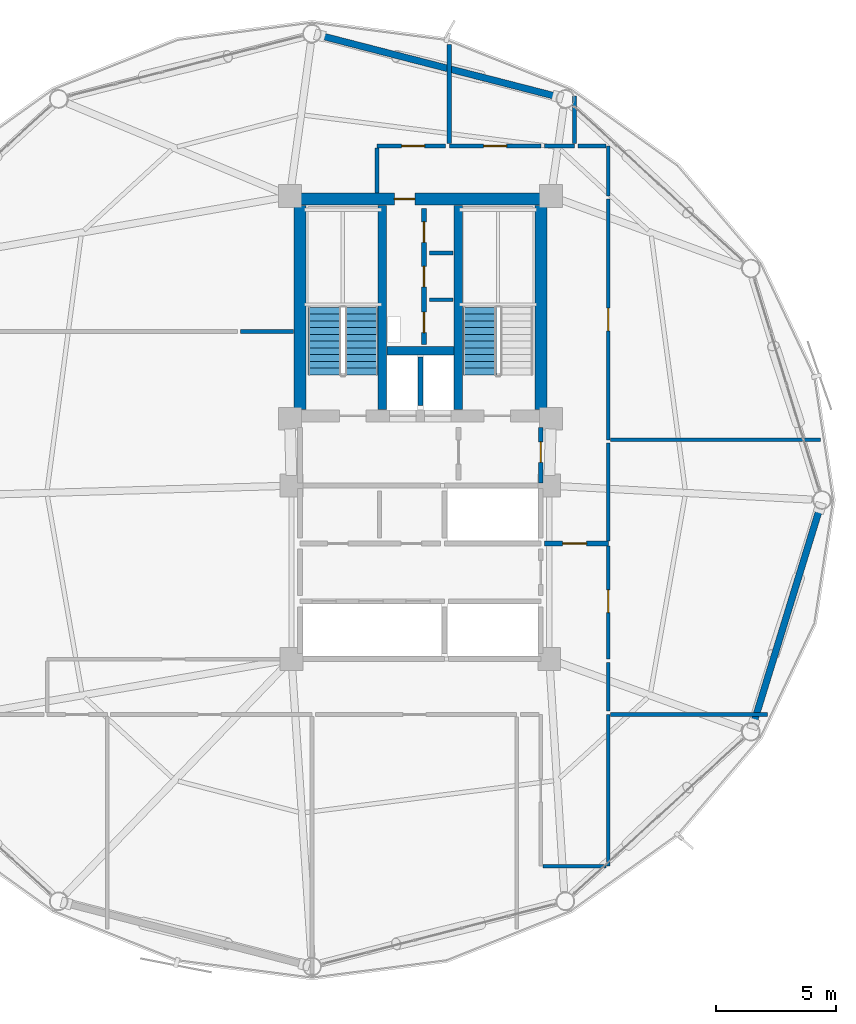
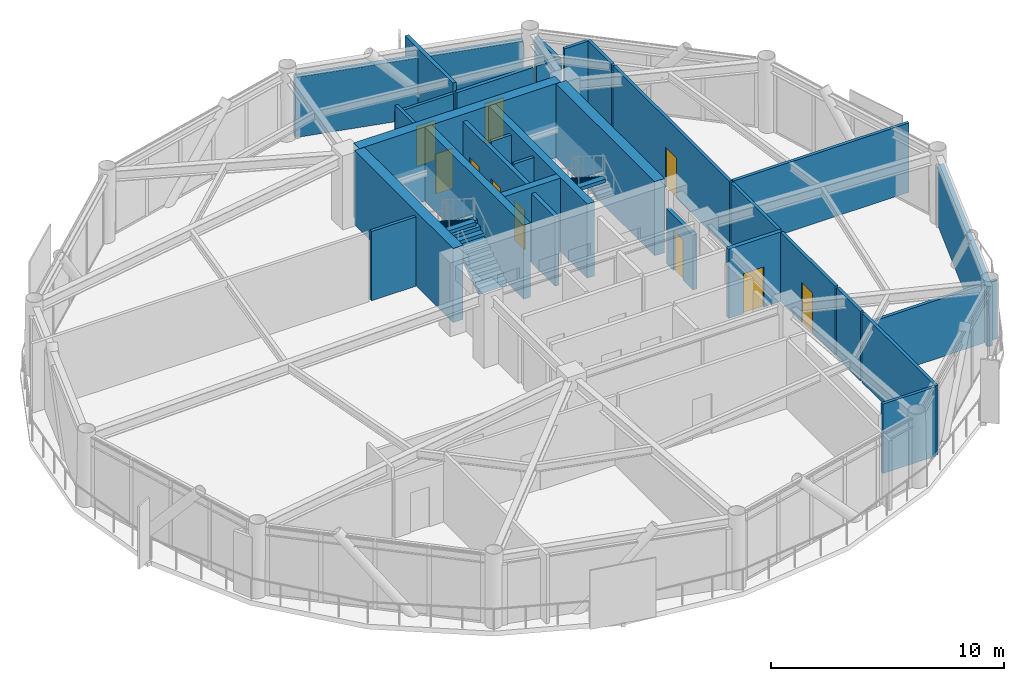
# One storey, part 21 of 25: 31 walls, 10 doors, 3 stair flights, 10 openings, 2 elements without a shape of their own.
"""IFC4 building model written with IfcOpenShell, lengths in metres."""

from ifc_helpers import new_model, si_unit, direction, frame, frame_2d, origin, place, context, subcontext, project, spatial, polyline, rectangle, outline, extrude, material, layer, layer_set, type_object, element, fill, aggregate, save


model = new_model("IFC4")

# Units and contexts
model_context = context("Model", 3, precision=1e-05, world=origin(), true_north=direction((0.0, 1.0)))
body_context = subcontext(model_context, "Body", "Model", "MODEL_VIEW")
ifc_project = project(units=[si_unit("LENGTHUNIT", "METRE"), si_unit("AREAUNIT", "SQUARE_METRE"), si_unit("VOLUMEUNIT", "CUBIC_METRE"), si_unit("PLANEANGLEUNIT", "RADIAN"), si_unit("MASSUNIT", "GRAM", prefix="KILO")], contexts=[model_context])

# Site, building, storey
site_placement = place(None, origin())
site = spatial("IfcSite", under=ifc_project, at=site_placement, CompositionType="ELEMENT")
building_placement = place(site_placement, origin())
building = spatial("IfcBuilding", under=site, at=building_placement, Name="Varnakorn Sky Granary", CompositionType="ELEMENT")
storey_placement = place(building_placement, frame((0.0, 0.0, 126.60009765625)))
storey = spatial("IfcBuildingStorey", under=building, at=storey_placement, Name="L31", CompositionType="ELEMENT", Elevation=126.60009765625)

# Walls
ifc_material_1 = material(Name="Concrete C50/60", Category="concrete")
ifc_layer_1 = layer(ifc_material_1, 0.35009765625, Name="Concrete C50/60")
ifc_layer_set_1 = layer_set([ifc_layer_1], Name="Concrete C50/60")
wall_type_1 = type_object("IfcWallType", Name="WT-CW-INT-350", PredefinedType="SHEAR", material=ifc_layer_set_1)
for number, where, z_axis, x_axis, name in (
    (1, (1.419921875, 3.760009765625, 0.0), (0.0, 0.0, 1.0), (0.0, 1.0, 0.0), "Stair ST-1 Core Wall L31"),
    (2, (4.580078125, 3.760009765625, 0.0), (0.0, 0.0, 1.0), (0.0, 1.0, 0.0), "Stair ST-2 Core Wall L31"),
):
    element("IfcWall", number, at=place(storey_placement, frame(where, z_axis=z_axis, x_axis=x_axis)), inside=storey, type_object=wall_type_1, Name=name, PredefinedType="SHEAR", context=body_context, shape_type="SweptSolid", body=[
        extrude(rectangle(XDim=8.47998046875, YDim=0.35009765625, at=frame_2d((4.239990234375, 0.0))), origin(), (0.0, 0.0, 1.0), 3.891845703125),
    ])
wall_1_placement = place(storey_placement, frame((1.610107421875, 6.199951171875, 0.0), z_axis=(0.0, 0.0, 1.0), x_axis=(1.0, 0.0, 0.0)))
element("IfcWall", 3, at=wall_1_placement, inside=storey, type_object=wall_type_1, Name="Core Lift Shaft Cross Wall L31", PredefinedType="SHEAR", context=body_context, shape_type="SweptSolid", body=[
    extrude(rectangle(XDim=2.77978515625, YDim=0.35009765625, at=frame_2d((1.389892578125, 0.0))), origin(), (0.0, 0.0, 1.0), 3.891845703125),
])

# Wall, opening, door
ifc_material_2 = material(Name="Concrete C60/75", Category="concrete")
ifc_layer_2 = layer(ifc_material_2, 0.5, Name="Concrete C60/75")
ifc_layer_set_2 = layer_set([ifc_layer_2], Name="Concrete C60/75")
wall_type_2 = type_object("IfcWallType", Name="WT-CW-SHEAR-500", PredefinedType="SHEAR", material=ifc_layer_set_2)
wall_2_placement = place(storey_placement, frame((-2.0, 12.5, 0.0), z_axis=(0.0, 0.0, 1.0), x_axis=(1.0, 0.0, 0.0)))
wall_2 = element("IfcWall", 4, at=wall_2_placement, inside=storey, type_object=wall_type_2, Name="Core North Shear Wall L31", PredefinedType="SHEAR", context=body_context, shape_type="SweptSolid", body=[
    extrude(rectangle(XDim=10.0, YDim=0.5, at=frame_2d((5.0, 0.0))), origin(), (0.0, 0.0, 1.0), 3.891845703125),
])
opening_1_placement = place(wall_2_placement, frame((3.919921875, 0.0, 0.0)))
opening_1 = element("IfcOpeningElement", 5, at=opening_1_placement, cuts=wall_2, Name="Opening FD-60N", PredefinedType="OPENING", context=body_context, shape_type="SweptSolid", body=[
    extrude(rectangle(XDim=0.85009765625, YDim=2.10009765625, at=frame_2d((0.425048828125, 1.050048828125))), frame((0.0, 0.260009765625, 0.0), z_axis=(0.0, -1.0, 0.0), x_axis=(1.0, 0.0, 0.0)), (0.0, 0.0, 1.0), 0.52001953125),
])
ifc_material_3 = material(Name="Acoustic Timber Fire Leaf", Category="wood")
door_type_1 = type_object("IfcDoorType", Name="DR-FD60-850", OperationType="NOTDEFINED", PredefinedType="DOOR", material=ifc_material_3)
door_1_placement = place(opening_1_placement, origin())
door_1 = element("IfcDoor", 6, at=door_1_placement, inside=storey, type_object=door_type_1, Name="Core North Service Door L31", OperationType="SINGLE_SWING_LEFT", OverallHeight=2.10009765625, OverallWidth=0.85009765625, PredefinedType="DOOR", context=body_context, shape_type="SweptSolid", body=[
    extrude(rectangle(XDim=0.85009765625, YDim=2.10009765625, at=frame_2d((0.425048828125, 1.050048828125))), frame((0.0, 0.02490234375, 0.0), z_axis=(0.0, -1.0, 0.0), x_axis=(1.0, 0.0, 0.0)), (0.0, 0.0, 1.0), 0.050048828125),
])
fill(opening_1, door_1)

# Walls
for number, where, z_axis, x_axis, name in (
    (7, (-2.0, 3.760009765625, 0.0), (0.0, 0.0, 1.0), (0.0, 1.0, 0.0), "Core West Shear Wall L31"),
    (8, (8.0, 3.760009765625, 0.0), (0.0, 0.0, 1.0), (0.0, 1.0, 0.0), "Core East Shear Wall L31"),
):
    element("IfcWall", number, at=place(storey_placement, frame(where, z_axis=z_axis, x_axis=x_axis)), inside=storey, type_object=wall_type_2, Name=name, PredefinedType="SHEAR", context=body_context, shape_type="SweptSolid", body=[
        extrude(rectangle(XDim=8.47998046875, YDim=0.5, at=frame_2d((4.239990234375, 0.0))), origin(), (0.0, 0.0, 1.0), 3.891845703125),
    ])
ifc_material_4 = material(Name="Precast concrete C40/50", Category="concrete")
ifc_layer_3 = layer(ifc_material_4, 0.280029296875, Name="Precast concrete C40/50")
ifc_layer_set_3 = layer_set([ifc_layer_3], Name="Precast concrete C40/50")
wall_type_3 = type_object("IfcWallType", Name="WT-EW-CRN-280", PredefinedType="SOLIDWALL", material=ifc_layer_set_3)
wall_3_placement = place(storey_placement, frame((-1.174560546875, 19.2900390625, 0.0), z_axis=(0.0, 0.0, 1.0), x_axis=(0.968353343562, -0.249583256675, 0.0)))
element("IfcWall", 9, at=wall_3_placement, inside=storey, type_object=wall_type_3, Name="Agritech Insulated Precast Facade Wall L31-P03", PredefinedType="SOLIDWALL", context=body_context, shape_type="SweptSolid", body=[
    extrude(rectangle(XDim=10.19580078125, YDim=0.280029296875, at=frame_2d((5.097900390625, 0.0))), origin(), (0.0, 0.0, 1.0), 3.159912109375),
])
wall_4_placement = place(storey_placement, frame((19.584228515625, -0.3212890625, 0.0), z_axis=(0.0, 0.0, 1.0), x_axis=(-0.293614487482, -0.95592391577, 0.0)))
element("IfcWall", 10, at=wall_4_placement, inside=storey, type_object=wall_type_3, Name="Agritech Insulated Precast Facade Wall L31-P12", PredefinedType="SOLIDWALL", context=body_context, shape_type="SweptSolid", body=[
    extrude(rectangle(XDim=9.390869140625, YDim=0.280029296875, at=frame_2d((4.6953125, 0.0))), origin(), (0.0, 0.0, 1.0), 3.159912109375),
])

# Wall, openings, doors
ifc_material_5 = material(Name="Autoclaved Aerated Concrete Blockwork", Category="masonry")
ifc_layer_4 = layer(ifc_material_5, 0.199951171875, Name="Autoclaved Aerated Concrete Blockwork")
ifc_layer_set_4 = layer_set([ifc_layer_4], Name="Autoclaved Aerated Concrete Blockwork")
wall_type_4 = type_object("IfcWallType", Name="WT-FIRE-200", PredefinedType="MOVABLE", material=ifc_layer_set_4)
wall_5_placement = place(storey_placement, frame((3.14990234375, 6.449951171875, 0.0), z_axis=(0.0, 0.0, 1.0), x_axis=(0.0, 1.0, 0.0)))
wall_5 = element("IfcWall", 11, at=wall_5_placement, inside=storey, type_object=wall_type_4, Name="Interior Partition Wall L31-013", PredefinedType="MOVABLE", context=body_context, shape_type="SweptSolid", body=[
    extrude(rectangle(XDim=5.650146484375, YDim=0.199951171875, at=frame_2d((2.8251953125, 0.0))), origin(), (0.0, 0.0, 1.0), 3.639892578125),
])
opening_2_placement = place(wall_5_placement, frame((0.5, 0.0, 0.0)))
opening_2 = element("IfcOpeningElement", 12, at=opening_2_placement, cuts=wall_5, Name="Opening FD-60N", PredefinedType="OPENING", context=body_context, shape_type="SweptSolid", body=[
    extrude(rectangle(XDim=0.85009765625, YDim=2.10009765625, at=frame_2d((0.425048828125, 1.050048828125))), frame((0.0, 0.10986328125, 0.0), z_axis=(0.0, -1.0, 0.0), x_axis=(1.0, 0.0, 0.0)), (0.0, 0.0, 1.0), 0.219970703125),
])
opening_3_placement = place(wall_5_placement, frame((2.39990234375, 0.0, 0.0)))
opening_3 = element("IfcOpeningElement", 13, at=opening_3_placement, cuts=wall_5, Name="Opening FD-60N", PredefinedType="OPENING", context=body_context, shape_type="SweptSolid", body=[
    extrude(rectangle(XDim=0.85009765625, YDim=2.10009765625, at=frame_2d((0.425048828125, 1.050048828125))), frame((0.0, 0.10986328125, 0.0), z_axis=(0.0, -1.0, 0.0), x_axis=(1.0, 0.0, 0.0)), (0.0, 0.0, 1.0), 0.219970703125),
])
opening_4_placement = place(wall_5_placement, frame((4.25, 0.0, 0.0)))
opening_4 = element("IfcOpeningElement", 14, at=opening_4_placement, cuts=wall_5, Name="Opening FD-60N", PredefinedType="OPENING", context=body_context, shape_type="SweptSolid", body=[
    extrude(rectangle(XDim=0.85009765625, YDim=2.10009765625, at=frame_2d((0.425048828125, 1.050048828125))), frame((0.0, 0.10986328125, 0.0), z_axis=(0.0, -1.0, 0.0), x_axis=(1.0, 0.0, 0.0)), (0.0, 0.0, 1.0), 0.219970703125),
])
door_2_placement = place(opening_2_placement, origin())
door_2 = element("IfcDoor", 15, at=door_2_placement, inside=storey, type_object=door_type_1, Name="Interior Door L31-013-1", OperationType="SINGLE_SWING_LEFT", OverallHeight=2.10009765625, OverallWidth=0.85009765625, PredefinedType="DOOR", context=body_context, shape_type="SweptSolid", body=[
    extrude(rectangle(XDim=0.85009765625, YDim=2.10009765625, at=frame_2d((0.425048828125, 1.050048828125))), frame((0.0, 0.02490234375, 0.0), z_axis=(0.0, -1.0, 0.0), x_axis=(1.0, 0.0, 0.0)), (0.0, 0.0, 1.0), 0.050048828125),
])
fill(opening_2, door_2)
door_3_placement = place(opening_3_placement, origin())
door_3 = element("IfcDoor", 16, at=door_3_placement, inside=storey, type_object=door_type_1, Name="Interior Door L31-013-2", OperationType="SINGLE_SWING_RIGHT", OverallHeight=2.10009765625, OverallWidth=0.85009765625, PredefinedType="DOOR", context=body_context, shape_type="SweptSolid", body=[
    extrude(rectangle(XDim=0.85009765625, YDim=2.10009765625, at=frame_2d((0.425048828125, 1.050048828125))), frame((0.0, 0.02490234375, 0.0), z_axis=(0.0, -1.0, 0.0), x_axis=(1.0, 0.0, 0.0)), (0.0, 0.0, 1.0), 0.050048828125),
])
fill(opening_3, door_3)
door_4_placement = place(opening_4_placement, origin())
door_4 = element("IfcDoor", 17, at=door_4_placement, inside=storey, type_object=door_type_1, Name="Interior Door L31-013-3", OperationType="SINGLE_SWING_LEFT", OverallHeight=2.10009765625, OverallWidth=0.85009765625, PredefinedType="DOOR", context=body_context, shape_type="SweptSolid", body=[
    extrude(rectangle(XDim=0.85009765625, YDim=2.10009765625, at=frame_2d((0.425048828125, 1.050048828125))), frame((0.0, 0.02490234375, 0.0), z_axis=(0.0, -1.0, 0.0), x_axis=(1.0, 0.0, 0.0)), (0.0, 0.0, 1.0), 0.050048828125),
])
fill(opening_4, door_4)

# Wall, opening, door
wall_6_placement = place(storey_placement, frame((8.0, 0.719970703125, 0.0), z_axis=(0.0, 0.0, 1.0), x_axis=(0.0, 1.0, 0.0)))
wall_6 = element("IfcWall", 18, at=wall_6_placement, inside=storey, type_object=wall_type_4, Name="Interior Partition Wall L31-015", PredefinedType="MOVABLE", context=body_context, shape_type="SweptSolid", body=[
    extrude(rectangle(XDim=2.300048828125, YDim=0.199951171875, at=frame_2d((1.14990234375, 0.0))), origin(), (0.0, 0.0, 1.0), 2.871826171875),
])
opening_5_placement = place(wall_6_placement, frame((0.844970703125, 0.0, 0.0)))
opening_5 = element("IfcOpeningElement", 19, at=opening_5_placement, cuts=wall_6, Name="Opening FD-60N", PredefinedType="OPENING", context=body_context, shape_type="SweptSolid", body=[
    extrude(rectangle(XDim=0.85009765625, YDim=2.10009765625, at=frame_2d((0.425048828125, 1.050048828125))), frame((0.0, 0.10986328125, 0.0), z_axis=(0.0, -1.0, 0.0), x_axis=(1.0, 0.0, 0.0)), (0.0, 0.0, 1.0), 0.219970703125),
])
door_5_placement = place(opening_5_placement, origin())
door_5 = element("IfcDoor", 20, at=door_5_placement, inside=storey, type_object=door_type_1, Name="Interior Door L31-015-1", OperationType="SINGLE_SWING_LEFT", OverallHeight=2.10009765625, OverallWidth=0.85009765625, PredefinedType="DOOR", context=body_context, shape_type="SweptSolid", body=[
    extrude(rectangle(XDim=0.85009765625, YDim=2.10009765625, at=frame_2d((0.425048828125, 1.050048828125))), frame((0.0, 0.02490234375, 0.0), z_axis=(0.0, -1.0, 0.0), x_axis=(1.0, 0.0, 0.0)), (0.0, 0.0, 1.0), 0.050048828125),
])
fill(opening_5, door_5)

wall_7_placement = place(storey_placement, frame((8.159912109375, -1.800048828125, 0.0), z_axis=(0.0, 0.0, 1.0), x_axis=(1.0, 0.0, 0.0)))
wall_7 = element("IfcWall", 21, at=wall_7_placement, inside=storey, type_object=wall_type_4, Name="Interior Partition Wall L31-018", PredefinedType="MOVABLE", context=body_context, shape_type="SweptSolid", body=[
    extrude(rectangle(XDim=2.64013671875, YDim=0.199951171875, at=frame_2d((1.320068359375, 0.0))), origin(), (0.0, 0.0, 1.0), 3.639892578125),
])
opening_6_placement = place(wall_7_placement, frame((0.739990234375, 0.0, 0.0)))
opening_6 = element("IfcOpeningElement", 22, at=opening_6_placement, cuts=wall_7, Name="Opening FD-60", PredefinedType="OPENING", context=body_context, shape_type="SweptSolid", body=[
    extrude(rectangle(XDim=1.0, YDim=2.10009765625, at=frame_2d((0.5, 1.050048828125))), frame((0.0, 0.10986328125, 0.0), z_axis=(0.0, -1.0, 0.0), x_axis=(1.0, 0.0, 0.0)), (0.0, 0.0, 1.0), 0.219970703125),
])
door_type_2 = type_object("IfcDoorType", Name="DR-FD60-1000", OperationType="NOTDEFINED", PredefinedType="DOOR", material=ifc_material_3)
door_6_placement = place(opening_6_placement, origin())
door_6 = element("IfcDoor", 23, at=door_6_placement, inside=storey, type_object=door_type_2, Name="Interior Door L31-018-1", OperationType="SINGLE_SWING_LEFT", OverallHeight=2.10009765625, OverallWidth=1.0, PredefinedType="DOOR", context=body_context, shape_type="SweptSolid", body=[
    extrude(rectangle(XDim=1.0, YDim=2.10009765625, at=frame_2d((0.5, 1.050048828125))), frame((0.0, 0.02490234375, 0.0), z_axis=(0.0, -1.0, 0.0), x_axis=(1.0, 0.0, 0.0)), (0.0, 0.0, 1.0), 0.050048828125),
])
fill(opening_6, door_6)

ifc_material_6 = material(Name="Gypsum Plasterboard on Steel Stud", Category="steel")
ifc_layer_5 = layer(ifc_material_6, 0.14990234375, Name="Gypsum Plasterboard on Steel Stud")
ifc_layer_set_5 = layer_set([ifc_layer_5], Name="Gypsum Plasterboard on Steel Stud")
wall_type_5 = type_object("IfcWallType", Name="WT-PART-150", PredefinedType="PARTITIONING", material=ifc_layer_set_5)
wall_8_placement = place(storey_placement, frame((4.050048828125, 14.699951171875, 0.0), z_axis=(0.0, 0.0, 1.0), x_axis=(-1.0, 0.0, 0.0)))
wall_8 = element("IfcWall", 24, at=wall_8_placement, inside=storey, type_object=wall_type_5, Name="Interior Partition Wall L31-025", PredefinedType="PARTITIONING", context=body_context, shape_type="SweptSolid", body=[
    extrude(rectangle(XDim=2.85009765625, YDim=0.14990234375, at=frame_2d((1.425048828125, 0.0))), origin(), (0.0, 0.0, 1.0), 3.221923828125),
])
opening_7_placement = place(wall_8_placement, frame((0.875, 0.0, 0.0)))
opening_7 = element("IfcOpeningElement", 25, at=opening_7_placement, cuts=wall_8, Name="Opening ID-95", PredefinedType="OPENING", context=body_context, shape_type="SweptSolid", body=[
    extrude(rectangle(XDim=0.949951171875, YDim=2.10009765625, at=frame_2d((0.47509765625, 1.050048828125))), frame((0.0, 0.0849609375, 0.0), z_axis=(0.0, -1.0, 0.0), x_axis=(1.0, 0.0, 0.0)), (0.0, 0.0, 1.0), 0.169921875),
])
ifc_material_7 = material(Name="Solid-Core Teak Veneer Leaf", Category="timber")
door_type_3 = type_object("IfcDoorType", Name="DR-INT-950", OperationType="NOTDEFINED", PredefinedType="DOOR", material=ifc_material_7)
door_7_placement = place(opening_7_placement, origin())
door_7 = element("IfcDoor", 26, at=door_7_placement, inside=storey, type_object=door_type_3, Name="Interior Door L31-025-1", OperationType="SINGLE_SWING_RIGHT", OverallHeight=2.10009765625, OverallWidth=0.949951171875, PredefinedType="DOOR", context=body_context, shape_type="SweptSolid", body=[
    extrude(rectangle(XDim=0.949951171875, YDim=2.10009765625, at=frame_2d((0.47509765625, 1.050048828125))), frame((0.0, 0.02490234375, 0.0), z_axis=(0.0, -1.0, 0.0), x_axis=(1.0, 0.0, 0.0)), (0.0, 0.0, 1.0), 0.050048828125),
])
fill(opening_7, door_7)

wall_9_placement = place(storey_placement, frame((10.800048828125, -6.60009765625, 0.0), z_axis=(0.0, 0.0, 1.0), x_axis=(0.0, 1.0, 0.0)))
wall_9 = element("IfcWall", 27, at=wall_9_placement, inside=storey, type_object=wall_type_5, Name="Interior Partition Wall L31-026", PredefinedType="PARTITIONING", context=body_context, shape_type="SweptSolid", body=[
    extrude(rectangle(XDim=4.690185546875, YDim=0.14990234375, at=frame_2d((2.34521484375, 0.0))), origin(), (0.0, 0.0, 1.0), 3.639892578125),
])
opening_8_placement = place(wall_9_placement, frame((1.925048828125, 0.0, 0.0)))
opening_8 = element("IfcOpeningElement", 28, at=opening_8_placement, cuts=wall_9, Name="Opening ID-95", PredefinedType="OPENING", context=body_context, shape_type="SweptSolid", body=[
    extrude(rectangle(XDim=0.949951171875, YDim=2.10009765625, at=frame_2d((0.47509765625, 1.050048828125))), frame((0.0, 0.0849609375, 0.0), z_axis=(0.0, -1.0, 0.0), x_axis=(1.0, 0.0, 0.0)), (0.0, 0.0, 1.0), 0.169921875),
])
door_8_placement = place(opening_8_placement, origin())
door_8 = element("IfcDoor", 29, at=door_8_placement, inside=storey, type_object=door_type_3, Name="Interior Door L31-026-1", OperationType="SINGLE_SWING_LEFT", OverallHeight=2.10009765625, OverallWidth=0.949951171875, PredefinedType="DOOR", context=body_context, shape_type="SweptSolid", body=[
    extrude(rectangle(XDim=0.949951171875, YDim=2.10009765625, at=frame_2d((0.47509765625, 1.050048828125))), frame((0.0, 0.02490234375, 0.0), z_axis=(0.0, -1.0, 0.0), x_axis=(1.0, 0.0, 0.0)), (0.0, 0.0, 1.0), 0.050048828125),
])
fill(opening_8, door_8)

wall_10_placement = place(storey_placement, frame((10.800048828125, 2.5, 0.0), z_axis=(0.0, 0.0, 1.0), x_axis=(0.0, 1.0, 0.0)))
wall_10 = element("IfcWall", 30, at=wall_10_placement, inside=storey, type_object=wall_type_5, Name="Interior Partition Wall L31-027", PredefinedType="PARTITIONING", context=body_context, shape_type="SweptSolid", body=[
    extrude(rectangle(XDim=10.0, YDim=0.14990234375, at=frame_2d((5.0, 0.0))), origin(), (0.0, 0.0, 1.0), 3.639892578125),
])
opening_9_placement = place(wall_10_placement, frame((4.52490234375, 0.0, 0.0)))
opening_9 = element("IfcOpeningElement", 31, at=opening_9_placement, cuts=wall_10, Name="Opening ID-95", PredefinedType="OPENING", context=body_context, shape_type="SweptSolid", body=[
    extrude(rectangle(XDim=0.949951171875, YDim=2.10009765625, at=frame_2d((0.47509765625, 1.050048828125))), frame((0.0, 0.0849609375, 0.0), z_axis=(0.0, -1.0, 0.0), x_axis=(1.0, 0.0, 0.0)), (0.0, 0.0, 1.0), 0.169921875),
])
door_9_placement = place(opening_9_placement, origin())
door_9 = element("IfcDoor", 32, at=door_9_placement, inside=storey, type_object=door_type_3, Name="Interior Door L31-027-1", OperationType="SINGLE_SWING_RIGHT", OverallHeight=2.10009765625, OverallWidth=0.949951171875, PredefinedType="DOOR", context=body_context, shape_type="SweptSolid", body=[
    extrude(rectangle(XDim=0.949951171875, YDim=2.10009765625, at=frame_2d((0.47509765625, 1.050048828125))), frame((0.0, 0.02490234375, 0.0), z_axis=(0.0, -1.0, 0.0), x_axis=(1.0, 0.0, 0.0)), (0.0, 0.0, 1.0), 0.050048828125),
])
fill(opening_9, door_9)

# Walls
for number, where, z_axis, x_axis, name in (
    (33, (3.3701171875, 8.320068359375, 0.0), (0.0, 0.0, 1.0), (1.0, 0.0, 0.0), "Interior Partition Wall L31-028"),
    (34, (3.3701171875, 10.260009765625, 0.0), (0.0, 0.0, 1.0), (1.0, 0.0, 0.0), "Interior Partition Wall L31-029"),
):
    element("IfcWall", number, at=place(storey_placement, frame(where, z_axis=z_axis, x_axis=x_axis)), inside=storey, type_object=wall_type_5, Name=name, PredefinedType="PARTITIONING", context=body_context, shape_type="SweptSolid", body=[
        extrude(rectangle(XDim=0.97998046875, YDim=0.14990234375, at=frame_2d((0.489990234375, 0.0))), origin(), (0.0, 0.0, 1.0), 3.639892578125),
    ])
wall_11_placement = place(storey_placement, frame((10.800048828125, -15.199951171875, 0.0), z_axis=(0.0, 0.0, 1.0), x_axis=(0.0, 1.0, 0.0)))
element("IfcWall", 35, at=wall_11_placement, inside=storey, type_object=wall_type_5, Name="Interior Partition Wall L31-041", PredefinedType="PARTITIONING", context=body_context, shape_type="SweptSolid", body=[
    extrude(rectangle(XDim=6.300048828125, YDim=0.14990234375, at=frame_2d((3.14990234375, 0.0))), origin(), (0.0, 0.0, 1.0), 3.639892578125),
])
wall_12_placement = place(storey_placement, frame((8.0849609375, -15.199951171875, 0.0), z_axis=(0.0, 0.0, 1.0), x_axis=(1.0, 0.0, 0.0)))
element("IfcWall", 36, at=wall_12_placement, inside=storey, type_object=wall_type_5, Name="Interior Partition Wall L31-042", PredefinedType="PARTITIONING", context=body_context, shape_type="SweptSolid", body=[
    extrude(rectangle(XDim=2.630126953125, YDim=0.14990234375, at=frame_2d((1.31494140625, 0.0))), origin(), (0.0, 0.0, 1.0), 3.639892578125),
])
wall_13_placement = place(storey_placement, frame((10.885009765625, -8.89990234375, 0.0), z_axis=(0.0, 0.0, 1.0), x_axis=(1.0, 0.0, 0.0)))
element("IfcWall", 37, at=wall_13_placement, inside=storey, type_object=wall_type_5, Name="Interior Partition Wall L31-044", PredefinedType="PARTITIONING", context=body_context, shape_type="SweptSolid", body=[
    extrude(rectangle(XDim=6.52587890625, YDim=0.14990234375, at=frame_2d((3.262939453125, 0.0))), origin(), (0.0, 0.0, 1.0), 3.072021484375),
])
wall_14_placement = place(storey_placement, frame((-4.465087890625, 7.0, 0.0), z_axis=(0.0, 0.0, 1.0), x_axis=(1.0, 0.0, 0.0)))
element("IfcWall", 38, at=wall_14_placement, inside=storey, type_object=wall_type_5, Name="Interior Partition Wall L31-047", PredefinedType="PARTITIONING", context=body_context, shape_type="SweptSolid", body=[
    extrude(rectangle(XDim=2.205078125, YDim=0.14990234375, at=frame_2d((1.1025390625, 0.0))), origin(), (0.0, 0.0, 1.0), 3.639892578125),
])
wall_15_placement = place(storey_placement, frame((1.199951171875, 14.614990234375, 0.0), z_axis=(0.0, 0.0, 1.0), x_axis=(0.0, -1.0, 0.0)))
element("IfcWall", 39, at=wall_15_placement, inside=storey, type_object=wall_type_5, Name="Interior Partition Wall L31-048", PredefinedType="PARTITIONING", context=body_context, shape_type="SweptSolid", body=[
    extrude(rectangle(XDim=1.85498046875, YDim=0.14990234375, at=frame_2d((0.927490234375, 0.0))), origin(), (0.0, 0.0, 1.0), 3.639892578125),
])
wall_16_placement = place(storey_placement, frame((10.800048828125, -8.764892578125, 0.0), z_axis=(0.0, 0.0, 1.0), x_axis=(0.0, 1.0, 0.0)))
element("IfcWall", 40, at=wall_16_placement, inside=storey, type_object=wall_type_5, Name="Interior Partition Wall L31-050", PredefinedType="PARTITIONING", context=body_context, shape_type="SweptSolid", body=[
    extrude(rectangle(XDim=2.02978515625, YDim=0.14990234375, at=frame_2d((1.014892578125, 0.0))), origin(), (0.0, 0.0, 1.0), 3.639892578125),
])
wall_17_placement = place(storey_placement, frame((10.800048828125, -1.68994140625, 0.0), z_axis=(0.0, 0.0, 1.0), x_axis=(0.0, 1.0, 0.0)))
element("IfcWall", 41, at=wall_17_placement, inside=storey, type_object=wall_type_5, Name="Interior Partition Wall L31-051", PredefinedType="PARTITIONING", context=body_context, shape_type="SweptSolid", body=[
    extrude(rectangle(XDim=4.054931640625, YDim=0.14990234375, at=frame_2d((2.02734375, 0.0))), origin(), (0.0, 0.0, 1.0), 3.639892578125),
])
wall_18_placement = place(storey_placement, frame((10.885009765625, 2.5, 0.0), z_axis=(0.0, 0.0, 1.0), x_axis=(1.0, 0.0, 0.0)))
element("IfcWall", 42, at=wall_18_placement, inside=storey, type_object=wall_type_5, Name="Interior Partition Wall L31-052", PredefinedType="PARTITIONING", context=body_context, shape_type="SweptSolid", body=[
    extrude(rectangle(XDim=8.72607421875, YDim=0.14990234375, at=frame_2d((4.363037109375, 0.0))), origin(), (0.0, 0.0, 1.0), 3.639892578125),
])
wall_19_placement = place(storey_placement, frame((10.800048828125, 12.635009765625, 0.0), z_axis=(0.0, 0.0, 1.0), x_axis=(0.0, 1.0, 0.0)))
element("IfcWall", 43, at=wall_19_placement, inside=storey, type_object=wall_type_5, Name="Interior Partition Wall L31-053", PredefinedType="PARTITIONING", context=body_context, shape_type="SweptSolid", body=[
    extrude(rectangle(XDim=2.06494140625, YDim=0.14990234375, at=frame_2d((1.032470703125, 0.0))), origin(), (0.0, 0.0, 1.0), 3.639892578125),
])
wall_20_placement = place(storey_placement, frame((10.715087890625, 14.699951171875, 0.0), z_axis=(0.0, 0.0, 1.0), x_axis=(-1.0, 0.0, 0.0)))
element("IfcWall", 44, at=wall_20_placement, inside=storey, type_object=wall_type_5, Name="Interior Partition Wall L31-054", PredefinedType="PARTITIONING", context=body_context, shape_type="SweptSolid", body=[
    extrude(rectangle(XDim=1.1650390625, YDim=0.14990234375, at=frame_2d((0.58251953125, 0.0))), origin(), (0.0, 0.0, 1.0), 3.639892578125),
])

# Wall, opening, door
ifc_material_8 = material(Name="Moisture-Resistant Gypsum on Stud", Category="gypsum")
ifc_layer_6 = layer(ifc_material_8, 0.179931640625, Name="Moisture-Resistant Gypsum on Stud")
ifc_layer_set_6 = layer_set([ifc_layer_6], Name="Moisture-Resistant Gypsum on Stud")
wall_type_6 = type_object("IfcWallType", Name="WT-PLUMB-180", PredefinedType="PLUMBINGWALL", material=ifc_layer_set_6)
wall_21_placement = place(storey_placement, frame((8.0, 14.699951171875, 0.0), z_axis=(0.0, 0.0, 1.0), x_axis=(-1.0, 0.0, 0.0)))
wall_21 = element("IfcWall", 45, at=wall_21_placement, inside=storey, type_object=wall_type_6, Name="Interior Partition Wall L31-019", PredefinedType="PLUMBINGWALL", context=body_context, shape_type="SweptSolid", body=[
    extrude(rectangle(XDim=3.800048828125, YDim=0.179931640625, at=frame_2d((1.89990234375, 0.0))), origin(), (0.0, 0.0, 1.0), 3.221923828125),
])
opening_10_placement = place(wall_21_placement, frame((1.425048828125, 0.0, 0.0)))
opening_10 = element("IfcOpeningElement", 46, at=opening_10_placement, cuts=wall_21, Name="Opening ID-95", PredefinedType="OPENING", context=body_context, shape_type="SweptSolid", body=[
    extrude(rectangle(XDim=0.949951171875, YDim=2.10009765625, at=frame_2d((0.47509765625, 1.050048828125))), frame((0.0, 0.10009765625, 0.0), z_axis=(0.0, -1.0, 0.0), x_axis=(1.0, 0.0, 0.0)), (0.0, 0.0, 1.0), 0.199951171875),
])
door_10_placement = place(opening_10_placement, origin())
door_10 = element("IfcDoor", 47, at=door_10_placement, inside=storey, type_object=door_type_3, Name="Interior Door L31-019-1", OperationType="SINGLE_SWING_RIGHT", OverallHeight=2.10009765625, OverallWidth=0.949951171875, PredefinedType="DOOR", context=body_context, shape_type="SweptSolid", body=[
    extrude(rectangle(XDim=0.949951171875, YDim=2.10009765625, at=frame_2d((0.47509765625, 1.050048828125))), frame((0.0, 0.02490234375, 0.0), z_axis=(0.0, -1.0, 0.0), x_axis=(1.0, 0.0, 0.0)), (0.0, 0.0, 1.0), 0.050048828125),
])
fill(opening_10, door_10)

# Walls
wall_22_placement = place(storey_placement, frame((9.39990234375, 14.699951171875, 0.0), z_axis=(0.0, 0.0, 1.0), x_axis=(-1.0, 0.0, 0.0)))
element("IfcWall", 48, at=wall_22_placement, inside=storey, type_object=wall_type_6, Name="Interior Partition Wall L31-035", PredefinedType="PLUMBINGWALL", context=body_context, shape_type="SweptSolid", body=[
    extrude(rectangle(XDim=1.25, YDim=0.179931640625, at=frame_2d((0.625, 0.0))), origin(), (0.0, 0.0, 1.0), 3.221923828125),
])
wall_23_placement = place(storey_placement, frame((4.199951171875, 18.910888671875, 0.0), z_axis=(0.0, 0.0, 1.0), x_axis=(0.0, -1.0, 0.0)))
element("IfcWall", 49, at=wall_23_placement, inside=storey, type_object=wall_type_6, Name="Interior Partition Wall L31-049", PredefinedType="PLUMBINGWALL", context=body_context, shape_type="SweptSolid", body=[
    extrude(rectangle(XDim=4.11083984375, YDim=0.179931640625, at=frame_2d((2.055419921875, 0.0))), origin(), (0.0, 0.0, 1.0), 3.639892578125),
])
wall_24_placement = place(storey_placement, frame((9.39990234375, 14.800048828125, 0.0), z_axis=(0.0, 0.0, 1.0), x_axis=(0.0, 1.0, 0.0)))
element("IfcWall", 50, at=wall_24_placement, inside=storey, type_object=wall_type_6, Name="Interior Partition Wall L31-055", PredefinedType="PLUMBINGWALL", context=body_context, shape_type="SweptSolid", body=[
    extrude(rectangle(XDim=1.971923828125, YDim=0.179931640625, at=frame_2d((0.98583984375, 0.0))), origin(), (0.0, 0.0, 1.0), 3.072021484375),
])
ifc_layer_7 = layer(ifc_material_5, 0.199951171875, Name="Autoclaved Aerated Concrete Blockwork")
ifc_layer_set_7 = layer_set([ifc_layer_7], Name="Autoclaved Aerated Concrete Blockwork")
wall_type_7 = type_object("IfcWallType", Name="WT-SHAFT-200", PredefinedType="SOLIDWALL", material=ifc_layer_set_7)
wall_25_placement = place(storey_placement, frame((3.0, 3.919921875, 0.0), z_axis=(0.0, 0.0, 1.0), x_axis=(0.0, 1.0, 0.0)))
element("IfcWall", 51, at=wall_25_placement, inside=storey, type_object=wall_type_7, Name="Interior Partition Wall L31-001", PredefinedType="SOLIDWALL", context=body_context, shape_type="SweptSolid", body=[
    extrude(rectangle(XDim=2.030029296875, YDim=0.199951171875, at=frame_2d((1.01513671875, 0.0))), origin(), (0.0, 0.0, 1.0), 3.639892578125),
])

# Stair, stair flights
ifc_material_9 = material(Name="Concrete C40/50", Category="concrete")
stair_type = type_object("IfcStairType", Name="ST-MAIN-ASSEMBLY", PredefinedType="HALF_TURN_STAIR", material=ifc_material_9)
stair_1_placement = place(storey_placement, origin())
stair_1 = element("IfcStair", 52, at=stair_1_placement, inside=storey, type_object=stair_type, Name="L31 Protected Exit Stair ST-1", PredefinedType="HALF_TURN_STAIR")
stair_flight_type = type_object("IfcStairFlightType", Name="ST-MAIN-FLIGHT", PredefinedType="STRAIGHT", material=ifc_material_9)
stair_flight_1_placement = place(storey_placement, frame((0.550048828125, 5.199951171875, 0.0), z_axis=(0.0, 0.0, 1.0), x_axis=(0.0, 1.0, 0.0)))
stair_flight_1 = element("IfcStairFlight", 53, at=stair_flight_1_placement, type_object=stair_flight_type, Name="ST-1 flight 1", NumberOfRisers=11, NumberOfTreads=10, PredefinedType="STRAIGHT", RiserHeight=0.177272727, TreadLength=0.28, context=body_context, shape_type="SweptSolid", body=[
    extrude(outline(polyline([(0.0, -0.14990234375), (0.0, 0.0), (0.0, 0.17724609375), (0.280029296875, 0.17724609375), (0.280029296875, 0.3544921875), (0.56005859375, 0.3544921875), (0.56005859375, 0.53173828125), (0.840087890625, 0.53173828125), (0.840087890625, 0.708984375), (1.1201171875, 0.708984375), (1.1201171875, 0.886474609375), (1.39990234375, 0.886474609375), (1.39990234375, 1.063720703125), (1.679931640625, 1.063720703125), (1.679931640625, 1.240966796875), (1.9599609375, 1.240966796875), (1.9599609375, 1.418212890625), (2.239990234375, 1.418212890625), (2.239990234375, 1.595458984375), (2.52001953125, 1.595458984375), (2.52001953125, 1.772705078125), (2.800048828125, 1.772705078125), (2.800048828125, 1.949951171875), (2.800048828125, 1.59521484375), (0.050048828125, -0.14990234375), (0.0, -0.14990234375)])), frame((0.0, 0.68994140625, 0.0), z_axis=(0.0, -1.0, 0.0), x_axis=(1.0, 0.0, 0.0)), (0.0, 0.0, 1.0), 1.3798828125),
])
stair_flight_2_placement = place(storey_placement, frame((-0.97998046875, 8.0, 1.949951171875), z_axis=(0.0, 0.0, 1.0), x_axis=(0.0, -1.0, 0.0)))
stair_flight_2 = element("IfcStairFlight", 54, at=stair_flight_2_placement, type_object=stair_flight_type, Name="ST-1 flight 2", NumberOfRisers=11, NumberOfTreads=10, PredefinedType="STRAIGHT", RiserHeight=0.177272727, TreadLength=0.28, context=body_context, shape_type="SweptSolid", body=[
    extrude(outline(polyline([(0.0, -0.14990234375), (0.0, 0.0), (0.0, 0.17724609375), (0.280029296875, 0.17724609375), (0.280029296875, 0.3544921875), (0.56005859375, 0.3544921875), (0.56005859375, 0.53173828125), (0.840087890625, 0.53173828125), (0.840087890625, 0.708984375), (1.1201171875, 0.708984375), (1.1201171875, 0.886474609375), (1.39990234375, 0.886474609375), (1.39990234375, 1.063720703125), (1.679931640625, 1.063720703125), (1.679931640625, 1.240966796875), (1.9599609375, 1.240966796875), (1.9599609375, 1.418212890625), (2.239990234375, 1.418212890625), (2.239990234375, 1.595458984375), (2.52001953125, 1.595458984375), (2.52001953125, 1.772705078125), (2.800048828125, 1.772705078125), (2.800048828125, 1.949951171875), (2.800048828125, 1.59521484375), (0.050048828125, -0.14990234375), (0.0, -0.14990234375)])), frame((0.0, 0.68994140625, 0.0), z_axis=(0.0, -1.0, 0.0), x_axis=(1.0, 0.0, 0.0)), (0.0, 0.0, 1.0), 1.3798828125),
])
aggregate(stair_1, [stair_flight_1, stair_flight_2])

# Stair, stair flight
stair_2_placement = place(storey_placement, origin())
stair_2 = element("IfcStair", 55, at=stair_2_placement, inside=storey, type_object=stair_type, Name="L31 Protected Exit Stair ST-2", PredefinedType="HALF_TURN_STAIR")
stair_flight_3_placement = place(storey_placement, frame((5.4599609375, 8.0, 1.949951171875), z_axis=(0.0, 0.0, 1.0), x_axis=(0.0, -1.0, 0.0)))
stair_flight_3 = element("IfcStairFlight", 56, at=stair_flight_3_placement, type_object=stair_flight_type, Name="ST-2 flight 2", NumberOfRisers=11, NumberOfTreads=10, PredefinedType="STRAIGHT", RiserHeight=0.177272727, TreadLength=0.28, context=body_context, shape_type="SweptSolid", body=[
    extrude(outline(polyline([(0.0, -0.14990234375), (0.0, 0.0), (0.0, 0.17724609375), (0.280029296875, 0.17724609375), (0.280029296875, 0.3544921875), (0.56005859375, 0.3544921875), (0.56005859375, 0.53173828125), (0.840087890625, 0.53173828125), (0.840087890625, 0.708984375), (1.1201171875, 0.708984375), (1.1201171875, 0.886474609375), (1.39990234375, 0.886474609375), (1.39990234375, 1.063720703125), (1.679931640625, 1.063720703125), (1.679931640625, 1.240966796875), (1.9599609375, 1.240966796875), (1.9599609375, 1.418212890625), (2.239990234375, 1.418212890625), (2.239990234375, 1.595458984375), (2.52001953125, 1.595458984375), (2.52001953125, 1.772705078125), (2.800048828125, 1.772705078125), (2.800048828125, 1.949951171875), (2.800048828125, 1.59521484375), (0.050048828125, -0.14990234375), (0.0, -0.14990234375)])), frame((0.0, 0.68994140625, 0.0), z_axis=(0.0, -1.0, 0.0), x_axis=(1.0, 0.0, 0.0)), (0.0, 0.0, 1.0), 1.3798828125),
])
aggregate(stair_2, [stair_flight_3])

save(model, "model.ifc")
